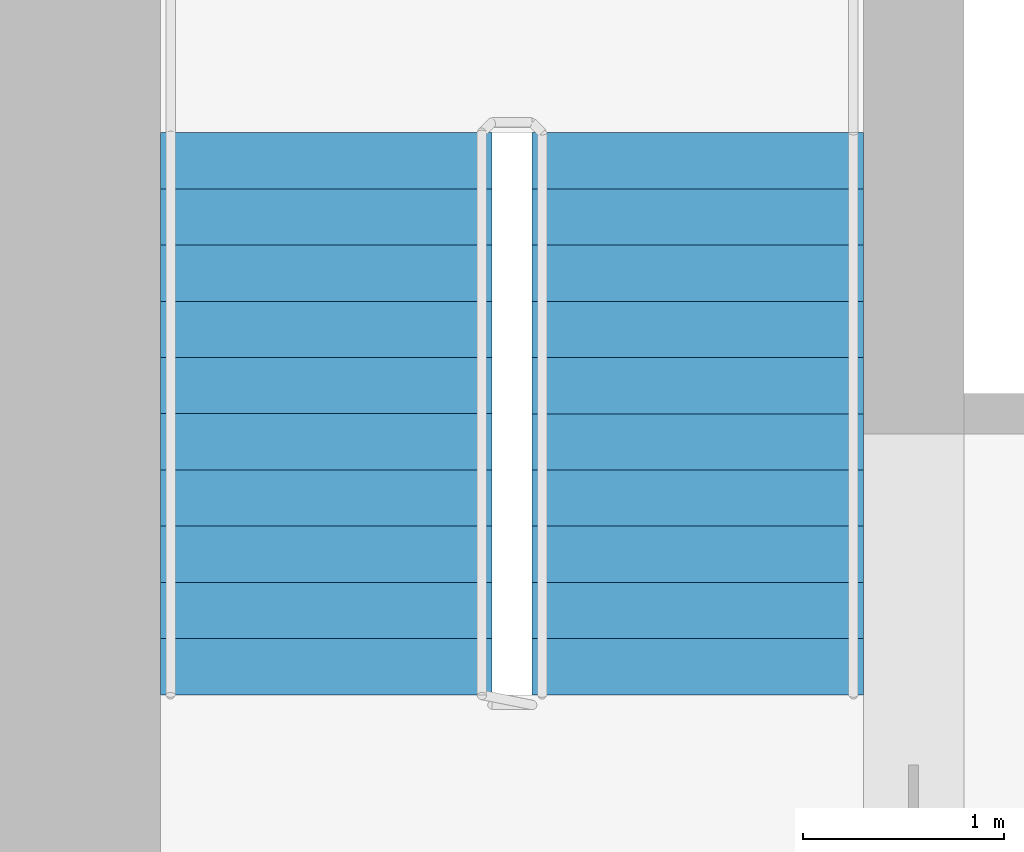
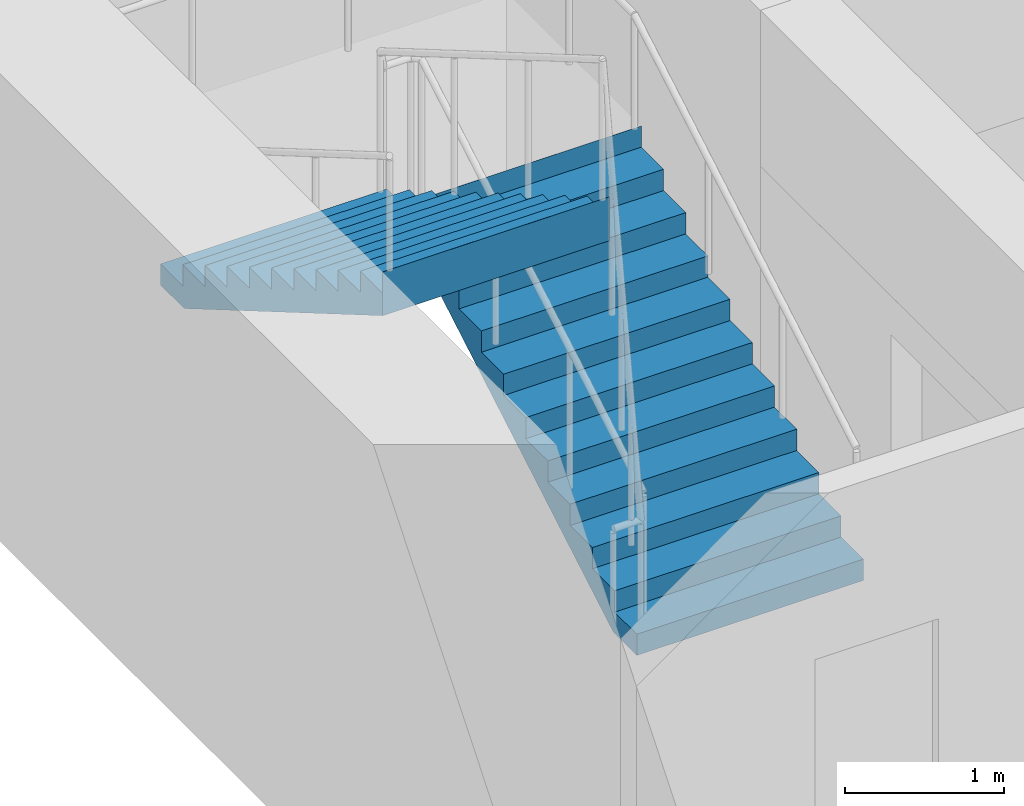
# One storey, part 14 of 15: 2 stair flights, 1 element without a shape of its own.
"""IFC4 building model written with IfcOpenShell, lengths in metres."""

from ifc_helpers import new_model, si_unit, direction, frame, origin, place, context, subcontext, project, spatial, polyline, outline, extrude, material, type_object, element, aggregate, save


model = new_model("IFC4")

# Units and contexts
model_context = context("Model", 3, precision=1e-05, world=origin(), true_north=direction((0.0, 1.0)))
body_context = subcontext(model_context, "Body", "Model", "MODEL_VIEW")
ifc_project = project(units=[si_unit("LENGTHUNIT", "METRE"), si_unit("AREAUNIT", "SQUARE_METRE"), si_unit("VOLUMEUNIT", "CUBIC_METRE"), si_unit("PLANEANGLEUNIT", "RADIAN"), si_unit("MASSUNIT", "GRAM", prefix="KILO")], contexts=[model_context])

# Site, building, storey
site_placement = place(None, origin())
site = spatial("IfcSite", under=ifc_project, at=site_placement, CompositionType="ELEMENT")
building_placement = place(site_placement, origin())
building = spatial("IfcBuilding", under=site, at=building_placement, Name="Tamorin Gate", CompositionType="ELEMENT")
storey_placement = place(building_placement, frame((0.0, 0.0, 97.10009765625)))
storey = spatial("IfcBuildingStorey", under=building, at=storey_placement, Name="L23", CompositionType="ELEMENT", Elevation=97.10009765625)

# Stair, stair flights
ifc_material = material(Name="Concrete C40/50", Category="concrete")
stair_type = type_object("IfcStairType", Name="Exit stair", PredefinedType="HALF_TURN_STAIR", material=ifc_material)
stair_placement = place(storey_placement, origin())
stair = element("IfcStair", 1, at=stair_placement, inside=storey, type_object=stair_type, Name="L23 stair ST2", PredefinedType="HALF_TURN_STAIR")
stair_flight_type = type_object("IfcStairFlightType", Name="Exit stair flight", PredefinedType="STRAIGHT", material=ifc_material)
stair_flight_1_placement = place(storey_placement, frame((33.675048828125, 77.0, 0.0), z_axis=(0.0, 0.0, 1.0), x_axis=(0.0, 1.0, 0.0)))
stair_flight_1 = element("IfcStairFlight", 2, at=stair_flight_1_placement, type_object=stair_flight_type, Name="ST2 flight 1", NumberOfRisers=11, NumberOfTreads=10, PredefinedType="STRAIGHT", RiserHeight=0.163636364, TreadLength=0.28, context=body_context, shape_type="SweptSolid", body=[
    extrude(outline(polyline([(-0.00048828125, 0.0), (-0.00048828125, 0.001708984375), (-0.00048828125, 0.003173828125), (-0.00048828125, 0.0048828125), (-0.00048828125, 0.006591796875), (-0.00048828125, 0.008056640625), (-0.00048828125, 0.009765625), (-0.00048828125, 0.01123046875), (-0.00048828125, 0.012939453125), (-0.00048828125, 0.0146484375), (-0.00048828125, 0.01611328125), (-0.00048828125, 0.017822265625), (-0.00048828125, 0.01953125), (-0.00048828125, 0.02099609375), (-0.00048828125, 0.022705078125), (-0.00048828125, 0.0244140625), (-0.00048828125, 0.02587890625), (-0.00048828125, 0.027587890625), (-0.00048828125, 0.029052734375), (-0.00048828125, 0.03076171875), (-0.00048828125, 0.032470703125), (-0.00048828125, 0.033935546875), (-0.00048828125, 0.03564453125), (-0.00048828125, 0.037353515625), (-0.00048828125, 0.038818359375), (-0.00048828125, 0.04052734375), (-0.00048828125, 0.042236328125), (-0.00048828125, 0.043701171875), (-0.00048828125, 0.04541015625), (-0.00048828125, 0.046875), (-0.00048828125, 0.048583984375), (-0.00048828125, 0.05029296875), (-0.00048828125, 0.0517578125), (-0.00048828125, 0.053466796875), (-0.00048828125, 0.05517578125), (-0.00048828125, 0.056640625), (-0.00048828125, 0.058349609375), (-0.00048828125, 0.06005859375), (-0.00048828125, 0.0615234375), (-0.00048828125, 0.063232421875), (-0.00048828125, 0.064697265625), (-0.00048828125, 0.06640625), (-0.00048828125, 0.068115234375), (-0.00048828125, 0.069580078125), (-0.00048828125, 0.0712890625), (-0.00048828125, 0.072998046875), (-0.00048828125, 0.074462890625), (-0.00048828125, 0.076171875), (-0.00048828125, 0.077880859375), (-0.00048828125, 0.079345703125), (-0.00048828125, 0.0810546875), (-0.00048828125, 0.08251953125), (-0.00048828125, 0.084228515625), (-0.00048828125, 0.0859375), (-0.00048828125, 0.08740234375), (-0.00048828125, 0.089111328125), (-0.00048828125, 0.0908203125), (-0.00048828125, 0.09228515625), (-0.00048828125, 0.093994140625), (-0.00048828125, 0.095703125), (-0.00048828125, 0.09716796875), (-0.00048828125, 0.098876953125), (-0.00048828125, 0.100341796875), (-0.00048828125, 0.10205078125), (-0.00048828125, 0.103759765625), (-0.00048828125, 0.105224609375), (-0.00048828125, 0.10693359375), (-0.00048828125, 0.108642578125), (-0.00048828125, 0.110107421875), (-0.00048828125, 0.11181640625), (-0.00048828125, 0.113525390625), (-0.00048828125, 0.114990234375), (-0.00048828125, 0.11669921875), (-0.00048828125, 0.1181640625), (-0.00048828125, 0.119873046875), (-0.00048828125, 0.12158203125), (-0.00048828125, 0.123046875), (-0.00048828125, 0.124755859375), (-0.00048828125, 0.12646484375), (-0.00048828125, 0.1279296875), (-0.00048828125, 0.129638671875), (-0.00048828125, 0.13134765625), (-0.00048828125, 0.1328125), (-0.00048828125, 0.134521484375), (-0.00048828125, 0.135986328125), (-0.00048828125, 0.1376953125), (-0.00048828125, 0.139404296875), (-0.00048828125, 0.140869140625), (-0.00048828125, 0.142578125), (-0.00048828125, 0.144287109375), (-0.00048828125, 0.145751953125), (-0.00048828125, 0.1474609375), (-0.00048828125, 0.149169921875), (-0.00048828125, 0.150634765625), (-0.00048828125, 0.15234375), (-0.00048828125, 0.15380859375), (-0.00048828125, 0.155517578125), (-0.00048828125, 0.1572265625), (-0.00048828125, 0.15869140625), (-0.00048828125, 0.160400390625), (-0.00048828125, 0.162109375), (-0.00048828125, 0.16357421875), (0.280029296875, 0.16357421875), (0.280029296875, 0.327392578125), (0.56005859375, 0.327392578125), (0.56005859375, 0.490966796875), (0.840087890625, 0.490966796875), (0.840087890625, 0.654541015625), (1.1201171875, 0.654541015625), (1.1201171875, 0.818115234375), (1.39990234375, 0.818115234375), (1.39990234375, 0.98193359375), (1.679931640625, 0.98193359375), (1.679931640625, 1.1455078125), (1.9599609375, 1.1455078125), (1.9599609375, 1.30908203125), (2.239990234375, 1.30908203125), (2.239990234375, 1.47265625), (2.52001953125, 1.47265625), (2.52001953125, 1.636474609375), (2.800048828125, 1.636474609375), (2.800048828125, 1.800048828125), (2.800537109375, 1.800048828125), (2.800537109375, 1.796630859375), (2.800537109375, 1.793212890625), (2.800537109375, 1.7900390625), (2.800537109375, 1.78662109375), (2.800537109375, 1.783203125), (2.800537109375, 1.780029296875), (2.800537109375, 1.776611328125), (2.800537109375, 1.773193359375), (2.800537109375, 1.77001953125), (2.800537109375, 1.7666015625), (2.800537109375, 1.76318359375), (2.800537109375, 1.760009765625), (2.800537109375, 1.756591796875), (2.800537109375, 1.753173828125), (2.800537109375, 1.75), (2.800537109375, 1.74658203125), (2.800537109375, 1.7431640625), (2.800537109375, 1.739990234375), (2.800537109375, 1.736572265625), (2.800537109375, 1.733154296875), (2.800537109375, 1.72998046875), (2.800537109375, 1.7265625), (2.800537109375, 1.72314453125), (2.800537109375, 1.719970703125), (2.800537109375, 1.716552734375), (2.800537109375, 1.713134765625), (2.800537109375, 1.7099609375), (2.800537109375, 1.70654296875), (2.800537109375, 1.703125), (2.800537109375, 1.69970703125), (2.800537109375, 1.696533203125), (2.800537109375, 1.693115234375), (2.800537109375, 1.689697265625), (2.800537109375, 1.6865234375), (2.800537109375, 1.68310546875), (2.800537109375, 1.6796875), (2.800537109375, 1.676513671875), (2.800537109375, 1.673095703125), (2.800537109375, 1.669677734375), (2.800537109375, 1.66650390625), (2.800537109375, 1.6630859375), (2.800537109375, 1.65966796875), (2.800537109375, 1.656494140625), (2.800537109375, 1.653076171875), (2.800537109375, 1.649658203125), (2.800537109375, 1.646484375), (2.800537109375, 1.64306640625), (2.800537109375, 1.6396484375), (2.800537109375, 1.636474609375), (2.800537109375, 1.633056640625), (2.800537109375, 1.629638671875), (2.800537109375, 1.62646484375), (2.800537109375, 1.623046875), (2.800537109375, 1.61962890625), (2.800537109375, 1.616455078125), (2.800537109375, 1.613037109375), (2.800537109375, 1.609619140625), (2.800537109375, 1.6064453125), (2.800537109375, 1.60302734375), (2.800537109375, 1.599609375), (2.800537109375, 1.59619140625), (2.800537109375, 1.593017578125), (2.800537109375, 1.589599609375), (2.800537109375, 1.586181640625), (2.800537109375, 1.5830078125), (2.800537109375, 1.57958984375), (2.800537109375, 1.576171875), (2.800537109375, 1.572998046875), (2.800537109375, 1.569580078125), (2.800537109375, 1.566162109375), (2.800537109375, 1.56298828125), (2.800537109375, 1.5595703125), (2.800537109375, 1.55615234375), (2.800537109375, 1.552978515625), (2.800537109375, 1.549560546875), (2.800537109375, 1.546142578125), (2.800537109375, 1.54296875), (2.800537109375, 1.53955078125), (2.800537109375, 1.5361328125), (2.800537109375, 1.532958984375), (2.800537109375, 1.529541015625), (2.800537109375, 1.526123046875), (2.800537109375, 1.52294921875), (2.800537109375, 1.51953125), (2.800537109375, 1.51611328125), (2.800537109375, 1.512939453125), (2.800537109375, 1.509521484375), (2.800537109375, 1.506103515625), (2.800537109375, 1.5029296875), (2.800537109375, 1.49951171875), (2.800537109375, 1.49609375), (2.800537109375, 1.49267578125), (2.800537109375, 1.489501953125), (2.800537109375, 1.486083984375), (2.800537109375, 1.482666015625), (2.800537109375, 1.4794921875), (2.800537109375, 1.47607421875), (2.800537109375, 1.47265625), (2.800537109375, 1.469482421875), (2.800537109375, 1.466064453125), (2.800537109375, 1.462646484375), (2.800048828125, 1.462646484375), (0.297119140625, 0.0), (-0.00048828125, 0.0)])), frame((0.0, 0.824951171875, 0.0), z_axis=(0.0, -1.0, 0.0), x_axis=(1.0, 0.0, 0.0)), (0.0, 0.0, 1.0), 1.64990234375),
])
stair_flight_2_placement = place(storey_placement, frame((31.824951171875, 79.800048828125, 1.7998046875), z_axis=(0.0, 0.0, 1.0), x_axis=(0.0, -1.0, 0.0)))
stair_flight_2 = element("IfcStairFlight", 3, at=stair_flight_2_placement, type_object=stair_flight_type, Name="ST2 flight 2", NumberOfRisers=11, NumberOfTreads=10, PredefinedType="STRAIGHT", RiserHeight=0.163636364, TreadLength=0.28, context=body_context, shape_type="SweptSolid", body=[
    extrude(outline(polyline([(-0.00048828125, 0.0), (-0.00048828125, 0.001708984375), (-0.00048828125, 0.003173828125), (-0.00048828125, 0.0048828125), (-0.00048828125, 0.006591796875), (-0.00048828125, 0.008056640625), (-0.00048828125, 0.009765625), (-0.00048828125, 0.01123046875), (-0.00048828125, 0.012939453125), (-0.00048828125, 0.0146484375), (-0.00048828125, 0.01611328125), (-0.00048828125, 0.017822265625), (-0.00048828125, 0.01953125), (-0.00048828125, 0.02099609375), (-0.00048828125, 0.022705078125), (-0.00048828125, 0.0244140625), (-0.00048828125, 0.02587890625), (-0.00048828125, 0.027587890625), (-0.00048828125, 0.029052734375), (-0.00048828125, 0.03076171875), (-0.00048828125, 0.032470703125), (-0.00048828125, 0.033935546875), (-0.00048828125, 0.03564453125), (-0.00048828125, 0.037353515625), (-0.00048828125, 0.038818359375), (-0.00048828125, 0.04052734375), (-0.00048828125, 0.042236328125), (-0.00048828125, 0.043701171875), (-0.00048828125, 0.04541015625), (-0.00048828125, 0.046875), (-0.00048828125, 0.048583984375), (-0.00048828125, 0.05029296875), (-0.00048828125, 0.0517578125), (-0.00048828125, 0.053466796875), (-0.00048828125, 0.05517578125), (-0.00048828125, 0.056640625), (-0.00048828125, 0.058349609375), (-0.00048828125, 0.06005859375), (-0.00048828125, 0.0615234375), (-0.00048828125, 0.063232421875), (-0.00048828125, 0.064697265625), (-0.00048828125, 0.06640625), (-0.00048828125, 0.068115234375), (-0.00048828125, 0.069580078125), (-0.00048828125, 0.0712890625), (-0.00048828125, 0.072998046875), (-0.00048828125, 0.074462890625), (-0.00048828125, 0.076171875), (-0.00048828125, 0.077880859375), (-0.00048828125, 0.079345703125), (-0.00048828125, 0.0810546875), (-0.00048828125, 0.08251953125), (-0.00048828125, 0.084228515625), (-0.00048828125, 0.0859375), (-0.00048828125, 0.08740234375), (-0.00048828125, 0.089111328125), (-0.00048828125, 0.0908203125), (-0.00048828125, 0.09228515625), (-0.00048828125, 0.093994140625), (-0.00048828125, 0.095703125), (-0.00048828125, 0.09716796875), (-0.00048828125, 0.098876953125), (-0.00048828125, 0.100341796875), (-0.00048828125, 0.10205078125), (-0.00048828125, 0.103759765625), (-0.00048828125, 0.105224609375), (-0.00048828125, 0.10693359375), (-0.00048828125, 0.108642578125), (-0.00048828125, 0.110107421875), (-0.00048828125, 0.11181640625), (-0.00048828125, 0.113525390625), (-0.00048828125, 0.114990234375), (-0.00048828125, 0.11669921875), (-0.00048828125, 0.1181640625), (-0.00048828125, 0.119873046875), (-0.00048828125, 0.12158203125), (-0.00048828125, 0.123046875), (-0.00048828125, 0.124755859375), (-0.00048828125, 0.12646484375), (-0.00048828125, 0.1279296875), (-0.00048828125, 0.129638671875), (-0.00048828125, 0.13134765625), (-0.00048828125, 0.1328125), (-0.00048828125, 0.134521484375), (-0.00048828125, 0.135986328125), (-0.00048828125, 0.1376953125), (-0.00048828125, 0.139404296875), (-0.00048828125, 0.140869140625), (-0.00048828125, 0.142578125), (-0.00048828125, 0.144287109375), (-0.00048828125, 0.145751953125), (-0.00048828125, 0.1474609375), (-0.00048828125, 0.149169921875), (-0.00048828125, 0.150634765625), (-0.00048828125, 0.15234375), (-0.00048828125, 0.15380859375), (-0.00048828125, 0.155517578125), (-0.00048828125, 0.1572265625), (-0.00048828125, 0.15869140625), (-0.00048828125, 0.160400390625), (-0.00048828125, 0.162109375), (-0.00048828125, 0.16357421875), (0.280029296875, 0.16357421875), (0.280029296875, 0.327392578125), (0.56005859375, 0.327392578125), (0.56005859375, 0.490966796875), (0.840087890625, 0.490966796875), (0.840087890625, 0.654541015625), (1.1201171875, 0.654541015625), (1.1201171875, 0.818115234375), (1.39990234375, 0.818115234375), (1.39990234375, 0.98193359375), (1.679931640625, 0.98193359375), (1.679931640625, 1.1455078125), (1.9599609375, 1.1455078125), (1.9599609375, 1.30908203125), (2.239990234375, 1.30908203125), (2.239990234375, 1.47265625), (2.52001953125, 1.47265625), (2.52001953125, 1.636474609375), (2.800048828125, 1.636474609375), (2.800048828125, 1.800048828125), (2.800537109375, 1.800048828125), (2.800537109375, 1.796630859375), (2.800537109375, 1.793212890625), (2.800537109375, 1.7900390625), (2.800537109375, 1.78662109375), (2.800537109375, 1.783203125), (2.800537109375, 1.780029296875), (2.800537109375, 1.776611328125), (2.800537109375, 1.773193359375), (2.800537109375, 1.77001953125), (2.800537109375, 1.7666015625), (2.800537109375, 1.76318359375), (2.800537109375, 1.760009765625), (2.800537109375, 1.756591796875), (2.800537109375, 1.753173828125), (2.800537109375, 1.75), (2.800537109375, 1.74658203125), (2.800537109375, 1.7431640625), (2.800537109375, 1.739990234375), (2.800537109375, 1.736572265625), (2.800537109375, 1.733154296875), (2.800537109375, 1.72998046875), (2.800537109375, 1.7265625), (2.800537109375, 1.72314453125), (2.800537109375, 1.719970703125), (2.800537109375, 1.716552734375), (2.800537109375, 1.713134765625), (2.800537109375, 1.7099609375), (2.800537109375, 1.70654296875), (2.800537109375, 1.703125), (2.800537109375, 1.69970703125), (2.800537109375, 1.696533203125), (2.800537109375, 1.693115234375), (2.800537109375, 1.689697265625), (2.800537109375, 1.6865234375), (2.800537109375, 1.68310546875), (2.800537109375, 1.6796875), (2.800537109375, 1.676513671875), (2.800537109375, 1.673095703125), (2.800537109375, 1.669677734375), (2.800537109375, 1.66650390625), (2.800537109375, 1.6630859375), (2.800537109375, 1.65966796875), (2.800537109375, 1.656494140625), (2.800537109375, 1.653076171875), (2.800537109375, 1.649658203125), (2.800537109375, 1.646484375), (2.800537109375, 1.64306640625), (2.800537109375, 1.6396484375), (2.800537109375, 1.636474609375), (2.800537109375, 1.633056640625), (2.800537109375, 1.629638671875), (2.800537109375, 1.62646484375), (2.800537109375, 1.623046875), (2.800537109375, 1.61962890625), (2.800537109375, 1.616455078125), (2.800537109375, 1.613037109375), (2.800537109375, 1.609619140625), (2.800537109375, 1.6064453125), (2.800537109375, 1.60302734375), (2.800537109375, 1.599609375), (2.800537109375, 1.59619140625), (2.800537109375, 1.593017578125), (2.800537109375, 1.589599609375), (2.800537109375, 1.586181640625), (2.800537109375, 1.5830078125), (2.800537109375, 1.57958984375), (2.800537109375, 1.576171875), (2.800537109375, 1.572998046875), (2.800537109375, 1.569580078125), (2.800537109375, 1.566162109375), (2.800537109375, 1.56298828125), (2.800537109375, 1.5595703125), (2.800537109375, 1.55615234375), (2.800537109375, 1.552978515625), (2.800537109375, 1.549560546875), (2.800537109375, 1.546142578125), (2.800537109375, 1.54296875), (2.800537109375, 1.53955078125), (2.800537109375, 1.5361328125), (2.800537109375, 1.532958984375), (2.800537109375, 1.529541015625), (2.800537109375, 1.526123046875), (2.800537109375, 1.52294921875), (2.800537109375, 1.51953125), (2.800537109375, 1.51611328125), (2.800537109375, 1.512939453125), (2.800537109375, 1.509521484375), (2.800537109375, 1.506103515625), (2.800537109375, 1.5029296875), (2.800537109375, 1.49951171875), (2.800537109375, 1.49609375), (2.800537109375, 1.49267578125), (2.800537109375, 1.489501953125), (2.800537109375, 1.486083984375), (2.800537109375, 1.482666015625), (2.800537109375, 1.4794921875), (2.800537109375, 1.47607421875), (2.800537109375, 1.47265625), (2.800537109375, 1.469482421875), (2.800537109375, 1.466064453125), (2.800537109375, 1.462646484375), (2.800048828125, 1.462646484375), (0.297119140625, 0.0), (-0.00048828125, 0.0)])), frame((0.0, 0.824951171875, 0.0), z_axis=(0.0, -1.0, 0.0), x_axis=(1.0, 0.0, 0.0)), (0.0, 0.0, 1.0), 1.64990234375),
])
aggregate(stair, [stair_flight_1, stair_flight_2])

save(model, "model.ifc")
